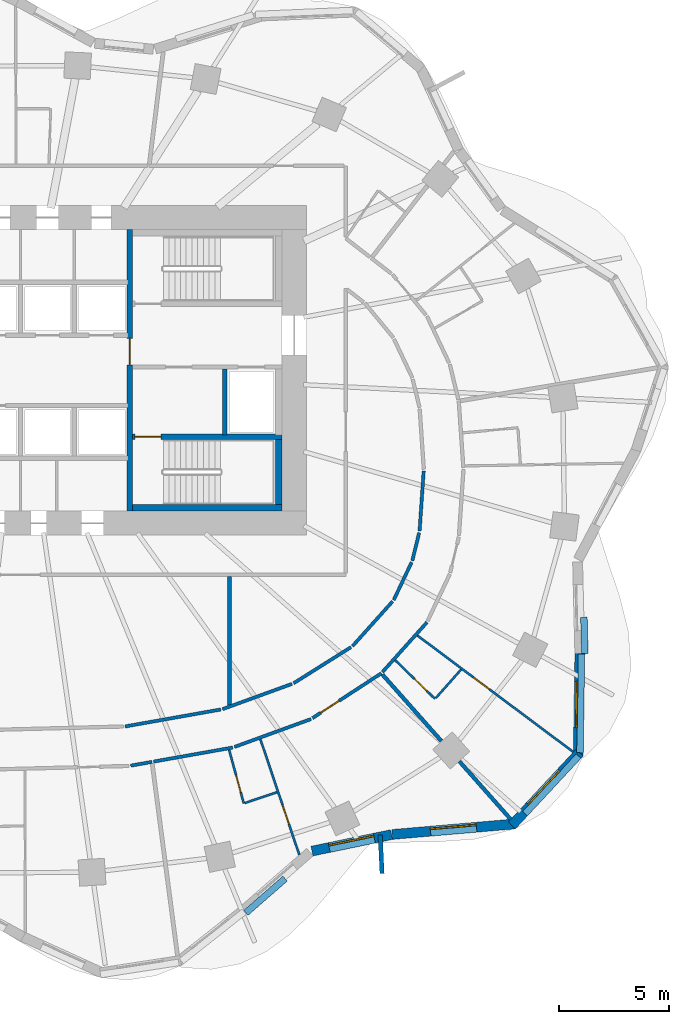
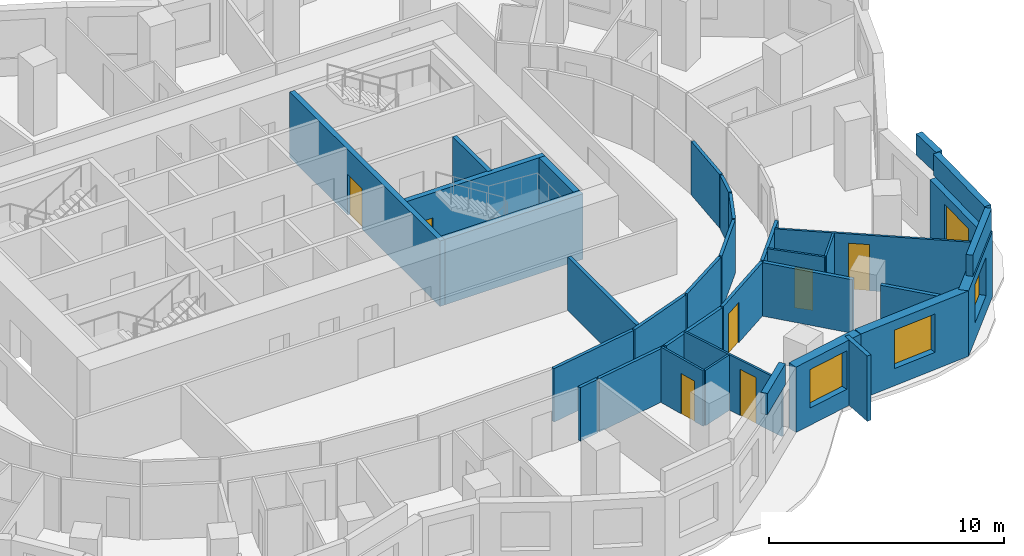
# One storey, part 6 of 11: 35 walls, 7 doors, 4 windows, 11 openings.
"""IFC4 building model written with IfcOpenShell, lengths in metres."""

from ifc_helpers import new_model, si_unit, direction, frame, frame_2d, origin, place, context, subcontext, project, spatial, rectangle, extrude, material, layer, layer_set, type_object, element, fill, save


model = new_model("IFC4")

# Units and contexts
model_context = context("Model", 3, precision=1e-05, world=origin(), true_north=direction((0.0, 1.0)))
body_context = subcontext(model_context, "Body", "Model", "MODEL_VIEW")
ifc_project = project(units=[si_unit("LENGTHUNIT", "METRE"), si_unit("AREAUNIT", "SQUARE_METRE"), si_unit("VOLUMEUNIT", "CUBIC_METRE"), si_unit("PLANEANGLEUNIT", "RADIAN"), si_unit("MASSUNIT", "GRAM", prefix="KILO")], contexts=[model_context])

# Site, building, storey
site_placement = place(None, origin())
site = spatial("IfcSite", under=ifc_project, at=site_placement, CompositionType="ELEMENT")
building_placement = place(site_placement, origin())
building = spatial("IfcBuilding", under=site, at=building_placement, Name="Rubra Terraces Tower", CompositionType="ELEMENT")
storey_placement = place(building_placement, frame((0.0, 0.0, 114.0)))
storey = spatial("IfcBuildingStorey", under=building, at=storey_placement, Name="L27", CompositionType="ELEMENT", Elevation=114.0)

# Walls
ifc_material_1 = material(Name="Twin plasterboard on staggered steel stud, acoustic mineral wool", Category="steel")
ifc_layer_1 = layer(ifc_material_1, 0.175048828125)
ifc_layer_set_1 = layer_set([ifc_layer_1], Name="Twin plasterboard on staggered steel stud, acoustic mineral wool")
wall_type_1 = type_object("IfcWallType", Name="ACOUSTIC PARTY WALL 175", PredefinedType="PARTITIONING", material=ifc_layer_set_1)
wall_1_placement = place(storey_placement, frame((22.295166015625, -15.91796875, 0.0), z_axis=(0.0, 0.0, 1.0), x_axis=(-0.663107572679, 0.748524112541, 0.0)))
element("IfcWall", 1, at=wall_1_placement, inside=storey, type_object=wall_type_1, Name="PARTITION", PredefinedType="PARTITIONING", context=body_context, shape_type="SweptSolid", body=[
    extrude(rectangle(XDim=3.5126953125, YDim=0.175048828125, at=frame_2d((1.75634765625, 0.0))), origin(), (0.0, 0.0, 1.0), 2.783935546875),
])
wall_2_placement = place(storey_placement, frame((19.143310546875, -12.3603515625, 0.0), z_axis=(0.0, 0.0, 1.0), x_axis=(-0.663106815301, 0.748524783492, 0.0)))
element("IfcWall", 2, at=wall_2_placement, inside=storey, type_object=wall_type_1, Name="PARTITION", PredefinedType="PARTITIONING", context=body_context, shape_type="SweptSolid", body=[
    extrude(rectangle(XDim=4.04150390625, YDim=0.175048828125, at=frame_2d((2.020751953125, 0.0))), origin(), (0.0, 0.0, 1.0), 2.783935546875),
])
wall_3_placement = place(storey_placement, frame((9.5, -10.723388671875, 0.0), z_axis=(0.0, 0.0, 1.0), x_axis=(0.0, 1.0, 0.0)))
element("IfcWall", 3, at=wall_3_placement, inside=storey, type_object=wall_type_1, Name="PARTITION", PredefinedType="PARTITIONING", context=body_context, shape_type="SweptSolid", body=[
    extrude(rectangle(XDim=5.848388671875, YDim=0.175048828125, at=frame_2d((2.92431640625, 0.0))), origin(), (0.0, 0.0, 1.0), 2.783935546875),
])

# Wall, opening, window
ifc_material_2 = material(Name="Brick masonry red-brown", Category="masonry")
ifc_layer_2 = layer(ifc_material_2, 0.449951171875)
ifc_layer_set_2 = layer_set([ifc_layer_2], Name="Brick masonry red-brown")
wall_type_2 = type_object("IfcWallType", Name="Brick facade wall 450", PredefinedType="SOLIDWALL", material=ifc_layer_set_2)
wall_4_placement = place(storey_placement, frame((13.2578125, -17.3671875, 0.0), z_axis=(0.0, 0.0, 1.0), x_axis=(0.97914968674, 0.203140077183, 0.0)))
wall_4 = element("IfcWall", 4, at=wall_4_placement, inside=storey, type_object=wall_type_2, Name="Facade wall L27 bay 35", PredefinedType="SOLIDWALL", context=body_context, shape_type="SweptSolid", body=[
    extrude(rectangle(XDim=3.700439453125, YDim=0.449951171875, at=frame_2d((1.85009765625, 0.0))), origin(), (0.0, 0.0, 1.0), 3.39990234375),
])
opening_1_placement = place(wall_4_placement, frame((0.80029296875, 0.0, 0.89990234375)))
opening_1 = element("IfcOpeningElement", 5, at=opening_1_placement, cuts=wall_4, Name="Opening W1", PredefinedType="OPENING", context=body_context, shape_type="SweptSolid", body=[
    extrude(rectangle(XDim=2.10009765625, YDim=2.0, at=frame_2d((1.050048828125, 1.0))), frame((0.0, 0.23486328125, 0.0), z_axis=(0.0, -1.0, 0.0), x_axis=(1.0, 0.0, 0.0)), (0.0, 0.0, 1.0), 0.469970703125),
])
ifc_material_3 = material(Name="Clear glass in aluminium frame", Category="aluminium")
window_type = type_object("IfcWindowType", Name="Fixed deep-set window 2100 x 2000", PartitioningType="SINGLE_PANEL", PredefinedType="WINDOW", material=ifc_material_3)
window_1_placement = place(opening_1_placement, origin())
window_1 = element("IfcWindow", 6, at=window_1_placement, inside=storey, type_object=window_type, Name="Window L27 bay 35", OverallHeight=2.0, OverallWidth=2.10009765625, PartitioningType="SINGLE_PANEL", PredefinedType="WINDOW", context=body_context, shape_type="SweptSolid", body=[
    extrude(rectangle(XDim=2.10009765625, YDim=2.0, at=frame_2d((1.050048828125, 1.0))), frame((0.0, 0.135009765625, 0.0), z_axis=(0.0, -1.0, 0.0), x_axis=(1.0, 0.0, 0.0)), (0.0, 0.0, 1.0), 0.06005859375),
])
fill(opening_1, window_1)

wall_5_placement = place(storey_placement, frame((16.91015625, -16.610107421875, 0.0), z_axis=(0.0, 0.0, 1.0), x_axis=(0.996333165816, 0.085558299972, 0.0)))
wall_5 = element("IfcWall", 7, at=wall_5_placement, inside=storey, type_object=wall_type_2, Name="Facade wall L27 bay 36", PredefinedType="SOLIDWALL", context=body_context, shape_type="SweptSolid", body=[
    extrude(rectangle(XDim=5.595703125, YDim=0.449951171875, at=frame_2d((2.7978515625, 0.0))), origin(), (0.0, 0.0, 1.0), 3.39990234375),
])
opening_2_placement = place(wall_5_placement, frame((1.747802734375, 0.0, 0.89990234375)))
opening_2 = element("IfcOpeningElement", 8, at=opening_2_placement, cuts=wall_5, Name="Opening W1", PredefinedType="OPENING", context=body_context, shape_type="SweptSolid", body=[
    extrude(rectangle(XDim=2.10009765625, YDim=2.0, at=frame_2d((1.050048828125, 1.0))), frame((0.0, 0.23486328125, 0.0), z_axis=(0.0, -1.0, 0.0), x_axis=(1.0, 0.0, 0.0)), (0.0, 0.0, 1.0), 0.469970703125),
])
window_2_placement = place(opening_2_placement, origin())
window_2 = element("IfcWindow", 9, at=window_2_placement, inside=storey, type_object=window_type, Name="Window L27 bay 36", OverallHeight=2.0, OverallWidth=2.10009765625, PartitioningType="SINGLE_PANEL", PredefinedType="WINDOW", context=body_context, shape_type="SweptSolid", body=[
    extrude(rectangle(XDim=2.10009765625, YDim=2.0, at=frame_2d((1.050048828125, 1.0))), frame((0.0, 0.135009765625, 0.0), z_axis=(0.0, -1.0, 0.0), x_axis=(1.0, 0.0, 0.0)), (0.0, 0.0, 1.0), 0.06005859375),
])
fill(opening_2, window_2)

wall_6_placement = place(storey_placement, frame((22.34521484375, -16.20166015625, 0.0), z_axis=(0.0, 0.0, 1.0), x_axis=(0.681249161265, 0.732051624051, 0.0)))
wall_6 = element("IfcWall", 10, at=wall_6_placement, inside=storey, type_object=wall_type_2, Name="Facade wall L27 bay 37", PredefinedType="SOLIDWALL", context=body_context, shape_type="SweptSolid", body=[
    extrude(rectangle(XDim=4.52685546875, YDim=0.449951171875, at=frame_2d((2.263427734375, 0.0))), origin(), (0.0, 0.0, 1.0), 3.39990234375),
])
opening_3_placement = place(wall_6_placement, frame((1.21337890625, 0.0, 0.89990234375)))
opening_3 = element("IfcOpeningElement", 11, at=opening_3_placement, cuts=wall_6, Name="Opening W1", PredefinedType="OPENING", context=body_context, shape_type="SweptSolid", body=[
    extrude(rectangle(XDim=2.10009765625, YDim=2.0, at=frame_2d((1.050048828125, 1.0))), frame((0.0, 0.23486328125, 0.0), z_axis=(0.0, -1.0, 0.0), x_axis=(1.0, 0.0, 0.0)), (0.0, 0.0, 1.0), 0.469970703125),
])
window_3_placement = place(opening_3_placement, origin())
window_3 = element("IfcWindow", 12, at=window_3_placement, inside=storey, type_object=window_type, Name="Window L27 bay 37", OverallHeight=2.0, OverallWidth=2.10009765625, PartitioningType="SINGLE_PANEL", PredefinedType="WINDOW", context=body_context, shape_type="SweptSolid", body=[
    extrude(rectangle(XDim=2.10009765625, YDim=2.0, at=frame_2d((1.050048828125, 1.0))), frame((0.0, 0.135009765625, 0.0), z_axis=(0.0, -1.0, 0.0), x_axis=(1.0, 0.0, 0.0)), (0.0, 0.0, 1.0), 0.06005859375),
])
fill(opening_3, window_3)

wall_7_placement = place(storey_placement, frame((25.369140625, -13.031982421875, 0.0), z_axis=(0.0, 0.0, 1.0), x_axis=(0.015383599855, 0.999881665426, 0.0)))
wall_7 = element("IfcWall", 13, at=wall_7_placement, inside=storey, type_object=wall_type_2, Name="Facade wall L27 bay 38", PredefinedType="SOLIDWALL", context=body_context, shape_type="SweptSolid", body=[
    extrude(rectangle(XDim=4.665771484375, YDim=0.449951171875, at=frame_2d((2.3330078125, 0.0))), origin(), (0.0, 0.0, 1.0), 3.39990234375),
])
opening_4_placement = place(wall_7_placement, frame((1.282958984375, 0.0, 0.89990234375)))
opening_4 = element("IfcOpeningElement", 14, at=opening_4_placement, cuts=wall_7, Name="Opening W1", PredefinedType="OPENING", context=body_context, shape_type="SweptSolid", body=[
    extrude(rectangle(XDim=2.10009765625, YDim=2.0, at=frame_2d((1.050048828125, 1.0))), frame((0.0, 0.23486328125, 0.0), z_axis=(0.0, -1.0, 0.0), x_axis=(1.0, 0.0, 0.0)), (0.0, 0.0, 1.0), 0.469970703125),
])
window_4_placement = place(opening_4_placement, origin())
window_4 = element("IfcWindow", 15, at=window_4_placement, inside=storey, type_object=window_type, Name="Window L27 bay 38", OverallHeight=2.0, OverallWidth=2.10009765625, PartitioningType="SINGLE_PANEL", PredefinedType="WINDOW", context=body_context, shape_type="SweptSolid", body=[
    extrude(rectangle(XDim=2.10009765625, YDim=2.0, at=frame_2d((1.050048828125, 1.0))), frame((0.0, 0.135009765625, 0.0), z_axis=(0.0, -1.0, 0.0), x_axis=(1.0, 0.0, 0.0)), (0.0, 0.0, 1.0), 0.06005859375),
])
fill(opening_4, window_4)

# Walls
ifc_layer_3 = layer(ifc_material_2, 0.300048828125)
ifc_layer_set_3 = layer_set([ifc_layer_3], Name="Brick masonry red-brown")
wall_type_3 = type_object("IfcWallType", Name="Brick parapet 300", PredefinedType="PARAPET", material=ifc_layer_set_3)
wall_8_placement = place(storey_placement, frame((10.252197265625, -20.17431640625, 3.60009765625), z_axis=(0.0, 0.0, 1.0), x_axis=(0.753260147018, 0.657722700622, 0.0)))
element("IfcWall", 16, at=wall_8_placement, inside=storey, type_object=wall_type_3, Name="Parapet L27 bay 34", PredefinedType="PARAPET", context=body_context, shape_type="SweptSolid", body=[
    extrude(rectangle(XDim=2.366455078125, YDim=0.300048828125, at=frame_2d((1.18310546875, 0.0))), origin(), (0.0, 0.0, 1.0), 1.099853515625),
])
wall_9_placement = place(storey_placement, frame((22.947509765625, -15.66455078125, 3.60009765625), z_axis=(0.0, 0.0, 1.0), x_axis=(0.681269800001, 0.732032417046, 0.0)))
element("IfcWall", 17, at=wall_9_placement, inside=storey, type_object=wall_type_3, Name="Parapet L27 bay 37", PredefinedType="PARAPET", context=body_context, shape_type="SweptSolid", body=[
    extrude(rectangle(XDim=3.578125, YDim=0.300048828125, at=frame_2d((1.7890625, 0.0))), origin(), (0.0, 0.0, 1.0), 1.099853515625),
])
wall_10_placement = place(storey_placement, frame((25.4462890625, -12.893310546875, 3.60009765625), z_axis=(0.0, 0.0, 1.0), x_axis=(0.015386139974, 0.999881626342, 0.0)))
element("IfcWall", 18, at=wall_10_placement, inside=storey, type_object=wall_type_3, Name="Parapet L27 bay 38", PredefinedType="PARAPET", context=body_context, shape_type="SweptSolid", body=[
    extrude(rectangle(XDim=4.490478515625, YDim=0.300048828125, at=frame_2d((2.2451171875, 0.0))), origin(), (0.0, 0.0, 1.0), 1.099853515625),
])
wall_11_placement = place(storey_placement, frame((25.665771484375, -8.375732421875, 3.60009765625), z_axis=(0.0, 0.0, 1.0), x_axis=(-0.024357650064, 0.999703308429, 0.0)))
element("IfcWall", 19, at=wall_11_placement, inside=storey, type_object=wall_type_3, Name="Parapet L27 bay 39", PredefinedType="PARAPET", context=body_context, shape_type="SweptSolid", body=[
    extrude(rectangle(XDim=1.643798828125, YDim=0.300048828125, at=frame_2d((0.82177734375, 0.0))), origin(), (0.0, 0.0, 1.0), 1.099853515625),
])
ifc_layer_4 = layer(ifc_material_2, 0.199951171875)
ifc_layer_set_4 = layer_set([ifc_layer_4], Name="Brick masonry red-brown")
wall_type_4 = type_object("IfcWallType", Name="Brick wind fin 200", PredefinedType="SOLIDWALL", material=ifc_layer_set_4)
wall_12_placement = place(storey_placement, frame((16.361083984375, -16.635986328125, 0.0), z_axis=(0.0, 0.0, 1.0), x_axis=(0.048552811097, -0.998820616795, 0.0)))
element("IfcWall", 20, at=wall_12_placement, inside=storey, type_object=wall_type_4, Name="Wind fin L27 21", PredefinedType="SOLIDWALL", context=body_context, shape_type="SweptSolid", body=[
    extrude(rectangle(XDim=1.749755859375, YDim=0.199951171875, at=frame_2d((0.875, 0.0))), origin(), (0.0, 0.0, 1.0), 3.39990234375),
])
ifc_material_4 = material(Name="Plasterboard on steel stud, mineral wool infill", Category="steel")
ifc_layer_5 = layer(ifc_material_4, 0.14990234375)
ifc_layer_set_5 = layer_set([ifc_layer_5], Name="Plasterboard on steel stud, mineral wool infill")
wall_type_5 = type_object("IfcWallType", Name="CORRIDOR PARTITION 150", PredefinedType="PARTITIONING", material=ifc_layer_set_5)
wall_13_placement = place(storey_placement, frame((5.0146484375, -13.480224609375, 0.0), z_axis=(0.0, 0.0, 1.0), x_axis=(0.984650804906, 0.174535934405, 0.0)))
element("IfcWall", 21, at=wall_13_placement, inside=storey, type_object=wall_type_5, Name="PARTITION", PredefinedType="PARTITIONING", context=body_context, shape_type="SweptSolid", body=[
    extrude(rectangle(XDim=0.9833984375, YDim=0.14990234375, at=frame_2d((0.49169921875, 0.0))), origin(), (0.0, 0.0, 1.0), 2.783935546875),
])
wall_14_placement = place(storey_placement, frame((6.056640625, -13.29541015625, 0.0), z_axis=(0.0, 0.0, 1.0), x_axis=(0.984639377301, 0.174600391377, 0.0)))
element("IfcWall", 22, at=wall_14_placement, inside=storey, type_object=wall_type_5, Name="PARTITION", PredefinedType="PARTITIONING", context=body_context, shape_type="SweptSolid", body=[
    extrude(rectangle(XDim=3.656494140625, YDim=0.14990234375, at=frame_2d((1.828125, 0.0))), origin(), (0.0, 0.0, 1.0), 2.783935546875),
])
wall_15_placement = place(storey_placement, frame((9.7275390625, -12.631103515625, 0.0), z_axis=(0.0, 0.0, 1.0), x_axis=(0.939626438181, 0.342201923826, 0.0)))
element("IfcWall", 23, at=wall_15_placement, inside=storey, type_object=wall_type_5, Name="PARTITION", PredefinedType="PARTITIONING", context=body_context, shape_type="SweptSolid", body=[
    extrude(rectangle(XDim=3.71630859375, YDim=0.14990234375, at=frame_2d((1.858154296875, 0.0))), origin(), (0.0, 0.0, 1.0), 2.783935546875),
])

# Wall, opening, door
wall_16_placement = place(storey_placement, frame((13.2822265625, -11.318359375, 0.0), z_axis=(0.0, 0.0, 1.0), x_axis=(0.837992526312, 0.54568170745, 0.0)))
wall_16 = element("IfcWall", 24, at=wall_16_placement, inside=storey, type_object=wall_type_5, Name="PARTITION", PredefinedType="PARTITIONING", context=body_context, shape_type="SweptSolid", body=[
    extrude(rectangle(XDim=3.73681640625, YDim=0.14990234375, at=frame_2d((1.868408203125, 0.0))), origin(), (0.0, 0.0, 1.0), 2.783935546875),
])
opening_5_placement = place(wall_16_placement, frame((0.449951171875, 0.0, 0.0)))
opening_5 = element("IfcOpeningElement", 25, at=opening_5_placement, cuts=wall_16, Name="Opening 27-106", PredefinedType="OPENING", context=body_context, shape_type="SweptSolid", body=[
    extrude(rectangle(XDim=1.0, YDim=2.10009765625, at=frame_2d((0.5, 1.050048828125))), frame((0.0, 0.0849609375, 0.0), z_axis=(0.0, -1.0, 0.0), x_axis=(1.0, 0.0, 0.0)), (0.0, 0.0, 1.0), 0.169921875),
])
ifc_material_5 = material(Name="Painted timber door leaf", Category="wood")
door_type_1 = type_object("IfcDoorType", Name="ROOM DOOR 1000 X 2100", OperationType="SINGLE_SWING_LEFT", PredefinedType="DOOR", material=ifc_material_5)
door_1_placement = place(opening_5_placement, origin())
door_1 = element("IfcDoor", 26, at=door_1_placement, inside=storey, type_object=door_type_1, Name="DOOR 27-106", OperationType="SINGLE_SWING_RIGHT", OverallHeight=2.10009765625, OverallWidth=1.0, PredefinedType="DOOR", context=body_context, shape_type="SweptSolid", body=[
    extrude(rectangle(XDim=1.0, YDim=2.10009765625, at=frame_2d((0.5, 1.050048828125))), frame((0.0, 0.02490234375, 0.0), z_axis=(0.0, -1.0, 0.0), x_axis=(1.0, 0.0, 0.0)), (0.0, 0.0, 1.0), 0.050048828125),
])
fill(opening_5, door_1)

# Walls
wall_17_placement = place(storey_placement, frame((16.463623046875, -9.223388671875, 0.0), z_axis=(0.0, 0.0, 1.0), x_axis=(0.666804255031, 0.745232906864, 0.0)))
element("IfcWall", 27, at=wall_17_placement, inside=storey, type_object=wall_type_5, Name="PARTITION", PredefinedType="PARTITIONING", context=body_context, shape_type="SweptSolid", body=[
    extrude(rectangle(XDim=3.0380859375, YDim=0.14990234375, at=frame_2d((1.51904296875, 0.0))), origin(), (0.0, 0.0, 1.0), 2.783935546875),
])
wall_18_placement = place(storey_placement, frame((18.339599609375, -0.07470703125, 0.0), z_axis=(0.0, 0.0, 1.0), x_axis=(-0.068328193832, -0.997662897941, 0.0)))
element("IfcWall", 28, at=wall_18_placement, inside=storey, type_object=wall_type_5, Name="PARTITION", PredefinedType="PARTITIONING", context=body_context, shape_type="SweptSolid", body=[
    extrude(rectangle(XDim=2.740478515625, YDim=0.14990234375, at=frame_2d((1.3701171875, 0.0))), origin(), (0.0, 0.0, 1.0), 2.783935546875),
])
wall_19_placement = place(storey_placement, frame((18.134521484375, -2.8818359375, 0.0), z_axis=(0.0, 0.0, 1.0), x_axis=(-0.236653741324, -0.971594054489, 0.0)))
element("IfcWall", 29, at=wall_19_placement, inside=storey, type_object=wall_type_5, Name="PARTITION", PredefinedType="PARTITIONING", context=body_context, shape_type="SweptSolid", body=[
    extrude(rectangle(XDim=1.319580078125, YDim=0.14990234375, at=frame_2d((0.65966796875, 0.0))), origin(), (0.0, 0.0, 1.0), 2.783935546875),
])
wall_20_placement = place(storey_placement, frame((17.7900390625, -4.2314453125, 0.0), z_axis=(0.0, 0.0, 1.0), x_axis=(-0.428042272357, -0.90375871397, 0.0)))
element("IfcWall", 30, at=wall_20_placement, inside=storey, type_object=wall_type_5, Name="PARTITION", PredefinedType="PARTITIONING", context=body_context, shape_type="SweptSolid", body=[
    extrude(rectangle(XDim=1.905029296875, YDim=0.14990234375, at=frame_2d((0.95263671875, 0.0))), origin(), (0.0, 0.0, 1.0), 2.783935546875),
])
wall_21_placement = place(storey_placement, frame((16.924560546875, -6.009033203125, 0.0), z_axis=(0.0, 0.0, 1.0), x_axis=(-0.666893859891, -0.745152722359, 0.0)))
element("IfcWall", 31, at=wall_21_placement, inside=storey, type_object=wall_type_5, Name="PARTITION", PredefinedType="PARTITIONING", context=body_context, shape_type="SweptSolid", body=[
    extrude(rectangle(XDim=2.739013671875, YDim=0.14990234375, at=frame_2d((1.36962890625, 0.0))), origin(), (0.0, 0.0, 1.0), 2.783935546875),
])
wall_22_placement = place(storey_placement, frame((15.034423828125, -8.090087890625, 0.0), z_axis=(0.0, 0.0, 1.0), x_axis=(-0.846322679414, -0.532670557014, 0.0)))
element("IfcWall", 32, at=wall_22_placement, inside=storey, type_object=wall_type_5, Name="PARTITION", PredefinedType="PARTITIONING", context=body_context, shape_type="SweptSolid", body=[
    extrude(rectangle(XDim=3.08544921875, YDim=0.14990234375, at=frame_2d((1.542724609375, 0.0))), origin(), (0.0, 0.0, 1.0), 2.783935546875),
])
wall_23_placement = place(storey_placement, frame((12.3525390625, -9.759521484375, 0.0), z_axis=(0.0, 0.0, 1.0), x_axis=(-0.939632450309, -0.342185415127, 0.0)))
element("IfcWall", 33, at=wall_23_placement, inside=storey, type_object=wall_type_5, Name="PARTITION", PredefinedType="PARTITIONING", context=body_context, shape_type="SweptSolid", body=[
    extrude(rectangle(XDim=3.36767578125, YDim=0.14990234375, at=frame_2d((1.683837890625, 0.0))), origin(), (0.0, 0.0, 1.0), 2.783935546875),
])
wall_24_placement = place(storey_placement, frame((9.114501953125, -10.925048828125, 0.0), z_axis=(0.0, 0.0, 1.0), x_axis=(-0.984632605417, -0.174638576352, 0.0)))
element("IfcWall", 34, at=wall_24_placement, inside=storey, type_object=wall_type_5, Name="PARTITION", PredefinedType="PARTITIONING", context=body_context, shape_type="SweptSolid", body=[
    extrude(rectangle(XDim=4.423095703125, YDim=0.14990234375, at=frame_2d((2.21142578125, 0.0))), origin(), (0.0, 0.0, 1.0), 2.783935546875),
])
ifc_material_6 = material(Name="Concrete C40", Category="concrete")
ifc_layer_6 = layer(ifc_material_6, 0.300048828125)
ifc_layer_set_6 = layer_set([ifc_layer_6], Name="Concrete C40")
wall_type_6 = type_object("IfcWallType", Name="Core lining wall 300 concrete", PredefinedType="SOLIDWALL", material=ifc_layer_set_6)
wall_25_placement = place(storey_placement, frame((11.75, 1.35009765625, 0.0), z_axis=(0.0, 0.0, 1.0), x_axis=(0.0, -1.0, 0.0)))
element("IfcWall", 35, at=wall_25_placement, inside=storey, type_object=wall_type_6, Name="CORE LINING WALL L27", PredefinedType="SOLIDWALL", context=body_context, shape_type="SweptSolid", body=[
    extrude(rectangle(XDim=2.9501953125, YDim=0.300048828125, at=frame_2d((1.47509765625, 0.0))), origin(), (0.0, 0.0, 1.0), 3.39990234375),
])
wall_26_placement = place(storey_placement, frame((11.89990234375, -1.75, 0.0), z_axis=(0.0, 0.0, 1.0), x_axis=(-1.0, 0.0, 0.0)))
element("IfcWall", 36, at=wall_26_placement, inside=storey, type_object=wall_type_6, Name="CORE LINING WALL L27", PredefinedType="SOLIDWALL", context=body_context, shape_type="SweptSolid", body=[
    extrude(rectangle(XDim=6.7998046875, YDim=0.300048828125, at=frame_2d((3.39990234375, 0.0))), origin(), (0.0, 0.0, 1.0), 3.39990234375),
])
ifc_material_7 = material(Name="Concrete C30", Category="concrete")
ifc_layer_7 = layer(ifc_material_7, 0.199951171875)
ifc_layer_set_7 = layer_set([ifc_layer_7], Name="Concrete C30")
wall_type_7 = type_object("IfcWallType", Name="Core wall 200 concrete", PredefinedType="SOLIDWALL", material=ifc_layer_set_7)
wall_27_placement = place(storey_placement, frame((9.300048828125, 4.550048828125, 0.0), z_axis=(0.0, 0.0, 1.0), x_axis=(0.0, -1.0, 0.0)))
element("IfcWall", 37, at=wall_27_placement, inside=storey, type_object=wall_type_7, Name="STAIR WALL L27", PredefinedType="SOLIDWALL", context=body_context, shape_type="SweptSolid", body=[
    extrude(rectangle(XDim=3.0, YDim=0.199951171875, at=frame_2d((1.5, 0.0))), origin(), (0.0, 0.0, 1.0), 3.39990234375),
])

# Wall, opening, door
ifc_material_8 = material(Name="Plasterboard on steel stud", Category="steel")
ifc_layer_8 = layer(ifc_material_8, 0.10009765625)
ifc_layer_set_8 = layer_set([ifc_layer_8], Name="Plasterboard on steel stud")
wall_type_8 = type_object("IfcWallType", Name="ROOM PARTITION 100", PredefinedType="PARTITIONING", material=ifc_layer_set_8)
wall_28_placement = place(storey_placement, frame((12.68115234375, -17.533447265625, 0.0), z_axis=(0.0, 0.0, 1.0), x_axis=(-0.319066902685, 0.947732194035, 0.0)))
wall_28 = element("IfcWall", 38, at=wall_28_placement, inside=storey, type_object=wall_type_8, Name="PARTITION", PredefinedType="PARTITIONING", context=body_context, shape_type="SweptSolid", body=[
    extrude(rectangle(XDim=5.543701171875, YDim=0.10009765625, at=frame_2d((2.77197265625, 0.0))), origin(), (0.0, 0.0, 1.0), 2.884033203125),
])
opening_6_placement = place(wall_28_placement, frame((1.468994140625, 0.0, 0.0)))
opening_6 = element("IfcOpeningElement", 39, at=opening_6_placement, cuts=wall_28, Name="Opening 27-105", PredefinedType="OPENING", context=body_context, shape_type="SweptSolid", body=[
    extrude(rectangle(XDim=0.89990234375, YDim=2.39990234375, at=frame_2d((0.449951171875, 1.199951171875))), frame((0.0, 0.06005859375, 0.0), z_axis=(0.0, -1.0, 0.0), x_axis=(1.0, 0.0, 0.0)), (0.0, 0.0, 1.0), 0.1201171875),
])
ifc_material_9 = material(Name="Veneered timber door leaf, fire-rated", Category="wood")
door_type_2 = type_object("IfcDoorType", Name="SUITE ENTRANCE DOOR 900 X 2400", OperationType="SINGLE_SWING_LEFT", PredefinedType="DOOR", material=ifc_material_9)
door_2_placement = place(opening_6_placement, origin())
door_2 = element("IfcDoor", 40, at=door_2_placement, inside=storey, type_object=door_type_2, Name="DOOR 27-105", OperationType="SINGLE_SWING_LEFT", OverallHeight=2.39990234375, OverallWidth=0.89990234375, PredefinedType="DOOR", context=body_context, shape_type="SweptSolid", body=[
    extrude(rectangle(XDim=0.89990234375, YDim=2.39990234375, at=frame_2d((0.449951171875, 1.199951171875))), frame((0.0, 0.02490234375, 0.0), z_axis=(0.0, -1.0, 0.0), x_axis=(1.0, 0.0, 0.0)), (0.0, 0.0, 1.0), 0.050048828125),
])
fill(opening_6, door_2)

wall_29_placement = place(storey_placement, frame((9.490234375, -12.76220703125, 0.0), z_axis=(0.0, 0.0, 1.0), x_axis=(0.264041724806, -0.96451125839, 0.0)))
wall_29 = element("IfcWall", 41, at=wall_29_placement, inside=storey, type_object=wall_type_8, Name="PARTITION", PredefinedType="PARTITIONING", context=body_context, shape_type="SweptSolid", body=[
    extrude(rectangle(XDim=2.525146484375, YDim=0.10009765625, at=frame_2d((1.2626953125, 0.0))), origin(), (0.0, 0.0, 1.0), 2.884033203125),
])
opening_7_placement = place(wall_29_placement, frame((1.199951171875, 0.0, 0.0)))
opening_7 = element("IfcOpeningElement", 42, at=opening_7_placement, cuts=wall_29, Name="Opening 27-104", PredefinedType="OPENING", context=body_context, shape_type="SweptSolid", body=[
    extrude(rectangle(XDim=0.800048828125, YDim=2.10009765625, at=frame_2d((0.39990234375, 1.050048828125))), frame((0.0, 0.06005859375, 0.0), z_axis=(0.0, -1.0, 0.0), x_axis=(1.0, 0.0, 0.0)), (0.0, 0.0, 1.0), 0.1201171875),
])
door_type_3 = type_object("IfcDoorType", Name="BATHROOM DOOR 800 X 2100", OperationType="SINGLE_SWING_LEFT", PredefinedType="DOOR", material=ifc_material_5)
door_3_placement = place(opening_7_placement, origin())
door_3 = element("IfcDoor", 43, at=door_3_placement, inside=storey, type_object=door_type_3, Name="DOOR 27-104", OperationType="SINGLE_SWING_LEFT", OverallHeight=2.10009765625, OverallWidth=0.800048828125, PredefinedType="DOOR", context=body_context, shape_type="SweptSolid", body=[
    extrude(rectangle(XDim=0.800048828125, YDim=2.10009765625, at=frame_2d((0.39990234375, 1.050048828125))), frame((0.0, 0.02490234375, 0.0), z_axis=(0.0, -1.0, 0.0), x_axis=(1.0, 0.0, 0.0)), (0.0, 0.0, 1.0), 0.050048828125),
])
fill(opening_7, door_3)

# Wall
wall_30_placement = place(storey_placement, frame((10.204345703125, -15.181884765625, 0.0), z_axis=(0.0, 0.0, 1.0), x_axis=(0.947779968737, 0.318924961175, 0.0)))
element("IfcWall", 44, at=wall_30_placement, inside=storey, type_object=wall_type_8, Name="PARTITION", PredefinedType="PARTITIONING", context=body_context, shape_type="SweptSolid", body=[
    extrude(rectangle(XDim=1.547119140625, YDim=0.10009765625, at=frame_2d((0.7734375, 0.0))), origin(), (0.0, 0.0, 1.0), 2.884033203125),
])

# Wall, opening, door
wall_31_placement = place(storey_placement, frame((25.142822265625, -12.85791015625, 0.0), z_axis=(0.0, 0.0, 1.0), x_axis=(-0.801110758558, 0.598516125532, 0.0)))
wall_31 = element("IfcWall", 45, at=wall_31_placement, inside=storey, type_object=wall_type_8, Name="PARTITION", PredefinedType="PARTITIONING", context=body_context, shape_type="SweptSolid", body=[
    extrude(rectangle(XDim=8.851318359375, YDim=0.10009765625, at=frame_2d((4.42578125, 0.0))), origin(), (0.0, 0.0, 1.0), 2.884033203125),
])
opening_8_placement = place(wall_31_placement, frame((4.77587890625, 0.0, 0.0)))
opening_8 = element("IfcOpeningElement", 46, at=opening_8_placement, cuts=wall_31, Name="Opening 27-109", PredefinedType="OPENING", context=body_context, shape_type="SweptSolid", body=[
    extrude(rectangle(XDim=0.89990234375, YDim=2.39990234375, at=frame_2d((0.449951171875, 1.199951171875))), frame((0.0, 0.06005859375, 0.0), z_axis=(0.0, -1.0, 0.0), x_axis=(1.0, 0.0, 0.0)), (0.0, 0.0, 1.0), 0.1201171875),
])
door_4_placement = place(opening_8_placement, origin())
door_4 = element("IfcDoor", 47, at=door_4_placement, inside=storey, type_object=door_type_2, Name="DOOR 27-109", OperationType="SINGLE_SWING_LEFT", OverallHeight=2.39990234375, OverallWidth=0.89990234375, PredefinedType="DOOR", context=body_context, shape_type="SweptSolid", body=[
    extrude(rectangle(XDim=0.89990234375, YDim=2.39990234375, at=frame_2d((0.449951171875, 1.199951171875))), frame((0.0, 0.02490234375, 0.0), z_axis=(0.0, -1.0, 0.0), x_axis=(1.0, 0.0, 0.0)), (0.0, 0.0, 1.0), 0.050048828125),
])
fill(opening_8, door_4)

wall_32_placement = place(storey_placement, frame((17.04541015625, -8.685546875, 0.0), z_axis=(0.0, 0.0, 1.0), x_axis=(0.717138536437, -0.696930641855, 0.0)))
wall_32 = element("IfcWall", 48, at=wall_32_placement, inside=storey, type_object=wall_type_8, Name="PARTITION", PredefinedType="PARTITIONING", context=body_context, shape_type="SweptSolid", body=[
    extrude(rectangle(XDim=2.52490234375, YDim=0.10009765625, at=frame_2d((1.262451171875, 0.0))), origin(), (0.0, 0.0, 1.0), 2.884033203125),
])
opening_9_placement = place(wall_32_placement, frame((1.199951171875, 0.0, 0.0)))
opening_9 = element("IfcOpeningElement", 49, at=opening_9_placement, cuts=wall_32, Name="Opening 27-107", PredefinedType="OPENING", context=body_context, shape_type="SweptSolid", body=[
    extrude(rectangle(XDim=0.800048828125, YDim=2.10009765625, at=frame_2d((0.39990234375, 1.050048828125))), frame((0.0, 0.06005859375, 0.0), z_axis=(0.0, -1.0, 0.0), x_axis=(1.0, 0.0, 0.0)), (0.0, 0.0, 1.0), 0.1201171875),
])
door_5_placement = place(opening_9_placement, origin())
door_5 = element("IfcDoor", 50, at=door_5_placement, inside=storey, type_object=door_type_3, Name="DOOR 27-107", OperationType="SINGLE_SWING_LEFT", OverallHeight=2.10009765625, OverallWidth=0.800048828125, PredefinedType="DOOR", context=body_context, shape_type="SweptSolid", body=[
    extrude(rectangle(XDim=0.800048828125, YDim=2.10009765625, at=frame_2d((0.39990234375, 1.050048828125))), frame((0.0, 0.02490234375, 0.0), z_axis=(0.0, -1.0, 0.0), x_axis=(1.0, 0.0, 0.0)), (0.0, 0.0, 1.0), 0.050048828125),
])
fill(opening_9, door_5)

# Wall
wall_33_placement = place(storey_placement, frame((18.889404296875, -10.40771484375, 0.0), z_axis=(0.0, 0.0, 1.0), x_axis=(0.663586674681, 0.748099408625, 0.0)))
element("IfcWall", 51, at=wall_33_placement, inside=storey, type_object=wall_type_8, Name="PARTITION", PredefinedType="PARTITIONING", context=body_context, shape_type="SweptSolid", body=[
    extrude(rectangle(XDim=1.736083984375, YDim=0.10009765625, at=frame_2d((0.8681640625, 0.0))), origin(), (0.0, 0.0, 1.0), 2.884033203125),
])

# Wall, opening, door
ifc_layer_9 = layer(ifc_material_6, 0.25)
ifc_layer_set_9 = layer_set([ifc_layer_9], Name="Concrete C40")
wall_type_9 = type_object("IfcWallType", Name="Stair enclosure wall 250 concrete", PredefinedType="SOLIDWALL", material=ifc_layer_set_9)
wall_34_placement = place(storey_placement, frame((11.89990234375, 1.47509765625, 0.0), z_axis=(0.0, 0.0, 1.0), x_axis=(-1.0, 0.0, 0.0)))
wall_34 = element("IfcWall", 52, at=wall_34_placement, inside=storey, type_object=wall_type_9, Name="STAIR WALL L27", PredefinedType="SOLIDWALL", context=body_context, shape_type="SweptSolid", body=[
    extrude(rectangle(XDim=6.7998046875, YDim=0.25, at=frame_2d((3.39990234375, 0.0))), origin(), (0.0, 0.0, 1.0), 3.39990234375),
])
opening_10_placement = place(wall_34_placement, frame((5.5, 0.0, 0.0)))
opening_10 = element("IfcOpeningElement", 53, at=opening_10_placement, cuts=wall_34, Name="Opening L27.C10", PredefinedType="OPENING", context=body_context, shape_type="SweptSolid", body=[
    extrude(rectangle(XDim=1.199951171875, YDim=2.10009765625, at=frame_2d((0.60009765625, 1.050048828125))), frame((0.0, 0.135009765625, 0.0), z_axis=(0.0, -1.0, 0.0), x_axis=(1.0, 0.0, 0.0)), (0.0, 0.0, 1.0), 0.27001953125),
])
ifc_material_10 = material(Name="Painted steel", Category="steel")
door_type_4 = type_object("IfcDoorType", Name="Fire door 1200x2100 single", OperationType="NOTDEFINED", PredefinedType="DOOR", material=ifc_material_10)
door_6_placement = place(opening_10_placement, origin())
door_6 = element("IfcDoor", 54, at=door_6_placement, inside=storey, type_object=door_type_4, Name="Stair door S4", OperationType="SINGLE_SWING_RIGHT", OverallHeight=2.10009765625, OverallWidth=1.199951171875, PredefinedType="DOOR", context=body_context, shape_type="SweptSolid", body=[
    extrude(rectangle(XDim=1.199951171875, YDim=2.10009765625, at=frame_2d((0.60009765625, 1.050048828125))), frame((0.0, 0.02490234375, 0.0), z_axis=(0.0, -1.0, 0.0), x_axis=(1.0, 0.0, 0.0)), (0.0, 0.0, 1.0), 0.050048828125),
])
fill(opening_10, door_6)

wall_35_placement = place(storey_placement, frame((4.97509765625, 10.89990234375, 0.0), z_axis=(0.0, 0.0, 1.0), x_axis=(0.0, -1.0, 0.0)))
wall_35 = element("IfcWall", 55, at=wall_35_placement, inside=storey, type_object=wall_type_9, Name="CORE LOBBY WALL L27", PredefinedType="SOLIDWALL", context=body_context, shape_type="SweptSolid", body=[
    extrude(rectangle(XDim=12.7998046875, YDim=0.25, at=frame_2d((6.39990234375, 0.0))), origin(), (0.0, 0.0, 1.0), 3.39990234375),
])
opening_11_placement = place(wall_35_placement, frame((4.949951171875, 0.0, 0.0)))
opening_11 = element("IfcOpeningElement", 56, at=opening_11_placement, cuts=wall_35, Name="Opening L27.C04", PredefinedType="OPENING", context=body_context, shape_type="SweptSolid", body=[
    extrude(rectangle(XDim=1.199951171875, YDim=2.10009765625, at=frame_2d((0.60009765625, 1.050048828125))), frame((0.0, 0.135009765625, 0.0), z_axis=(0.0, -1.0, 0.0), x_axis=(1.0, 0.0, 0.0)), (0.0, 0.0, 1.0), 0.27001953125),
])
door_7_placement = place(opening_11_placement, origin())
door_7 = element("IfcDoor", 57, at=door_7_placement, inside=storey, type_object=door_type_4, Name="Firefighting lobby door FF2", OperationType="SINGLE_SWING_RIGHT", OverallHeight=2.10009765625, OverallWidth=1.199951171875, PredefinedType="DOOR", context=body_context, shape_type="SweptSolid", body=[
    extrude(rectangle(XDim=1.199951171875, YDim=2.10009765625, at=frame_2d((0.60009765625, 1.050048828125))), frame((0.0, 0.02490234375, 0.0), z_axis=(0.0, -1.0, 0.0), x_axis=(1.0, 0.0, 0.0)), (0.0, 0.0, 1.0), 0.050048828125),
])
fill(opening_11, door_7)

save(model, "model.ifc")
